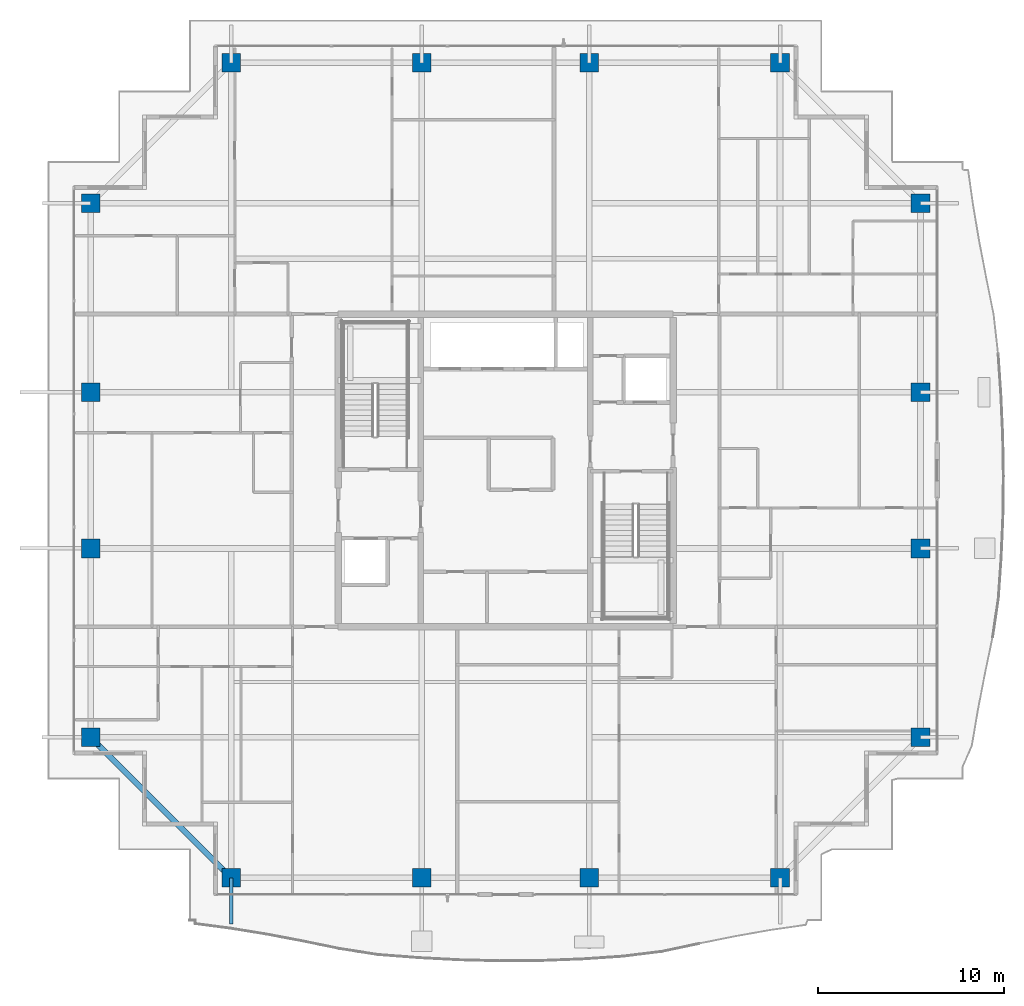
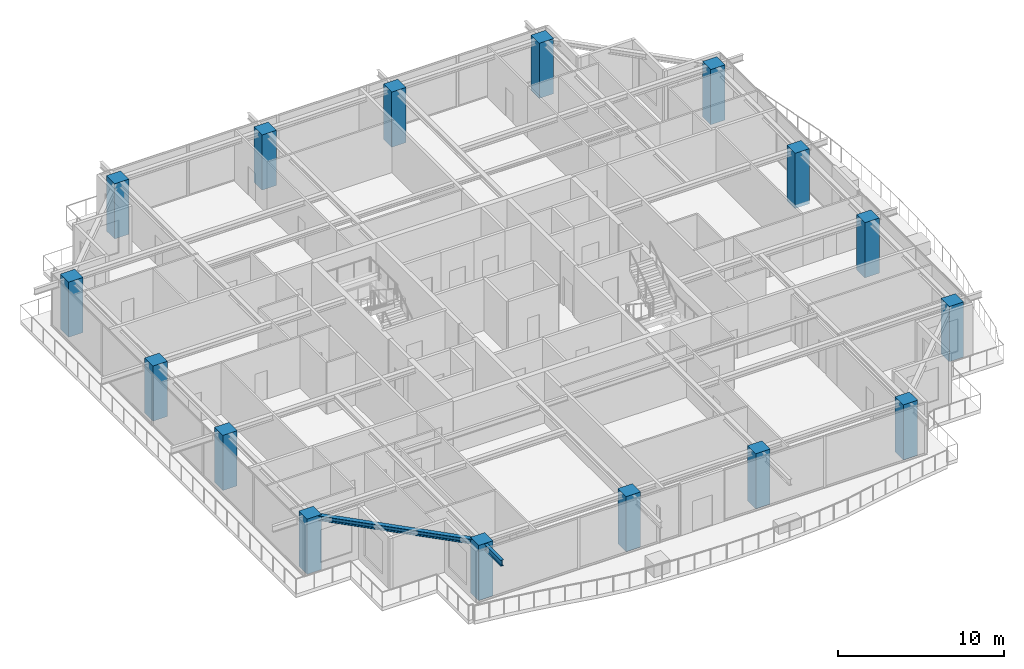
# One storey, part 1 of 41: 16 columns, 2 beams.
"""IFC4 building model written with IfcOpenShell, lengths in metres."""

from ifc_helpers import new_model, si_unit, direction, frame, origin, origin_2d, place, context, subcontext, project, spatial, rectangle, i_section, extrude, source, transform, mapped, material, material_profile, profile_set, type_object, element, save


model = new_model("IFC4")

# Units and contexts
model_context = context("Model", 3, precision=1e-05, world=origin(), true_north=direction((0.0, 1.0)))
body_context = subcontext(model_context, "Body", "Model", "MODEL_VIEW")
ifc_project = project(units=[si_unit("LENGTHUNIT", "METRE"), si_unit("AREAUNIT", "SQUARE_METRE"), si_unit("VOLUMEUNIT", "CUBIC_METRE"), si_unit("PLANEANGLEUNIT", "RADIAN"), si_unit("MASSUNIT", "GRAM", prefix="KILO")], contexts=[model_context])

# Site, building, storey
site_placement = place(None, origin())
site = spatial("IfcSite", under=ifc_project, at=site_placement, CompositionType="ELEMENT")
building_placement = place(site_placement, origin())
building = spatial("IfcBuilding", under=site, at=building_placement, Name="Serunith Strait Residences", CompositionType="ELEMENT")
storey_placement = place(building_placement, frame((0.0, 0.0, 301.550048828125)))
storey = spatial("IfcBuildingStorey", under=building, at=storey_placement, Name="L75", CompositionType="ELEMENT", Elevation=301.550048828125)

# Columns
ifc_material_1 = material(Name="Concrete C70/85", Category="concrete")
ifc_material_profile_1 = material_profile(ifc_material_1, rectangle(XDim=1.0, YDim=1.0, at=origin_2d()), Name="RC 1000x1000")
ifc_profile_set_1 = profile_set([ifc_material_profile_1], Name="Concrete C70/85")
column_type = type_object("IfcColumnType", Name="COL-RC-1000", PredefinedType="COLUMN", material=ifc_profile_set_1)
shared_shape_1 = source(origin(), body_context, "Body", "SweptSolid", [
    extrude(rectangle(XDim=1.0, YDim=1.0, at=origin_2d()), origin(), (0.0, 0.0, 1.0), 4.050048828125),
])
for number, where, z_axis, x_axis, name in (
    (1, (17.64990234375, 3.300048828125, -0.260009765625), (0.0, 0.0, 1.0), (1.0, 0.0, 0.0), "L75 Tower Mega-Column TC-S1"),
    (2, (27.89990234375, 3.300048828125, -0.260009765625), (0.0, 0.0, 1.0), (1.0, 0.0, 0.0), "L75 Tower Mega-Column TC-S2"),
    (3, (36.89990234375, 3.300048828125, -0.260009765625), (0.0, 0.0, 1.0), (1.0, 0.0, 0.0), "L75 Tower Mega-Column TC-S3"),
    (4, (47.14990234375, 3.300048828125, -0.260009765625), (0.0, 0.0, 1.0), (1.0, 0.0, 0.0), "L75 Tower Mega-Column TC-S4"),
    (5, (17.64990234375, 47.10009765625, -0.260009765625), (0.0, 0.0, 1.0), (1.0, 0.0, 0.0), "L75 Tower Mega-Column TC-N1"),
    (6, (27.89990234375, 47.10009765625, -0.260009765625), (0.0, 0.0, 1.0), (1.0, 0.0, 0.0), "L75 Tower Mega-Column TC-N2"),
    (7, (36.89990234375, 47.10009765625, -0.260009765625), (0.0, 0.0, 1.0), (1.0, 0.0, 0.0), "L75 Tower Mega-Column TC-N3"),
    (8, (47.14990234375, 47.10009765625, -0.260009765625), (0.0, 0.0, 1.0), (1.0, 0.0, 0.0), "L75 Tower Mega-Column TC-N4"),
    (9, (54.699951171875, 10.85009765625, -0.260009765625), (0.0, 0.0, 1.0), (1.0, 0.0, 0.0), "L75 Tower Mega-Column TC-E1"),
    (10, (54.699951171875, 21.0, -0.260009765625), (0.0, 0.0, 1.0), (1.0, 0.0, 0.0), "L75 Tower Mega-Column TC-E2"),
    (11, (54.699951171875, 29.39990234375, -0.260009765625), (0.0, 0.0, 1.0), (1.0, 0.0, 0.0), "L75 Tower Mega-Column TC-E3"),
    (12, (54.699951171875, 39.550048828125, -0.260009765625), (0.0, 0.0, 1.0), (1.0, 0.0, 0.0), "L75 Tower Mega-Column TC-E4"),
    (13, (10.10009765625, 10.85009765625, -0.260009765625), (0.0, 0.0, 1.0), (1.0, 0.0, 0.0), "L75 Tower Mega-Column TC-W1"),
    (14, (10.10009765625, 21.0, -0.260009765625), (0.0, 0.0, 1.0), (1.0, 0.0, 0.0), "L75 Tower Mega-Column TC-W2"),
    (15, (10.10009765625, 29.39990234375, -0.260009765625), (0.0, 0.0, 1.0), (1.0, 0.0, 0.0), "L75 Tower Mega-Column TC-W3"),
    (16, (10.10009765625, 39.550048828125, -0.260009765625), (0.0, 0.0, 1.0), (1.0, 0.0, 0.0), "L75 Tower Mega-Column TC-W4"),
):
    element("IfcColumn", number, at=place(storey_placement, frame(where, z_axis=z_axis, x_axis=x_axis)), inside=storey, type_object=column_type, Name=name, PredefinedType="COLUMN", context=body_context, shape_type="MappedRepresentation", body=[
        mapped(shared_shape_1, transform((0.0, 0.0, 0.0), scale=1.0)),
    ])

# Beams
ifc_material_2 = material(Name="Steel S355J2", Category="steel")
ifc_material_profile_2 = material_profile(ifc_material_2, i_section(OverallWidth=0.300048828125, OverallDepth=0.360107421875, WebThickness=0.012451171875, FlangeThickness=0.0224609375, FilletRadius=0.027099609375, at=origin_2d()), Name="HEB 360")
ifc_profile_set_2 = profile_set([ifc_material_profile_2], Name="Steel S355J2")
beam_type_1 = type_object("IfcBeamType", Name="BM-HEB360", PredefinedType="BEAM", material=ifc_profile_set_2)
shared_shape_2 = source(origin(), body_context, "Body", "SweptSolid", [
    extrude(i_section(OverallWidth=0.300048828125, OverallDepth=0.360107421875, WebThickness=0.012451171875, FlangeThickness=0.0224609375, FilletRadius=0.027099609375, at=origin_2d()), origin(), (0.0, 0.0, 1.0), 10.67724609375),
])
beam_1_placement = place(storey_placement, frame((10.10009765625, 10.85009765625, 3.576904296875), z_axis=(0.707095348302, -0.707118213887, 0.0), x_axis=(0.707118213887, 0.707095348302, 0.0)))
element("IfcBeam", 17, at=beam_1_placement, inside=storey, type_object=beam_type_1, Name="L75 Perimeter Ring Beam 16", PredefinedType="BEAM", context=body_context, shape_type="MappedRepresentation", body=[
    mapped(shared_shape_2, transform((0.0, 0.0, 0.0), scale=1.0)),
])
ifc_material_profile_3 = material_profile(ifc_material_2, i_section(OverallWidth=0.18994140625, OverallDepth=0.449951171875, WebThickness=0.009521484375, FlangeThickness=0.0146484375, FilletRadius=0.02099609375, at=origin_2d()), Name="IPE 450")
ifc_profile_set_3 = profile_set([ifc_material_profile_3], Name="Steel S355J2")
beam_type_2 = type_object("IfcBeamType", Name="BM-IPE450", PredefinedType="JOIST", material=ifc_profile_set_3)
shared_shape_3 = source(origin(), body_context, "Body", "SweptSolid", [
    extrude(i_section(OverallWidth=0.18994140625, OverallDepth=0.449951171875, WebThickness=0.009521484375, FlangeThickness=0.0146484375, FilletRadius=0.02099609375, at=origin_2d()), origin(), (0.0, 0.0, 1.0), 2.47607421875),
])
beam_2_placement = place(storey_placement, frame((17.64990234375, 3.300048828125, 3.531982421875), z_axis=(0.0, -1.0, 0.0), x_axis=(1.0, 0.0, 0.0)))
element("IfcBeam", 18, at=beam_2_placement, inside=storey, type_object=beam_type_2, Name="L76 Cantilevered Balcony Rib TC-S1", PredefinedType="JOIST", context=body_context, shape_type="MappedRepresentation", body=[
    mapped(shared_shape_3, transform((0.0, 0.0, 0.0), scale=1.0)),
])

save(model, "model.ifc")
